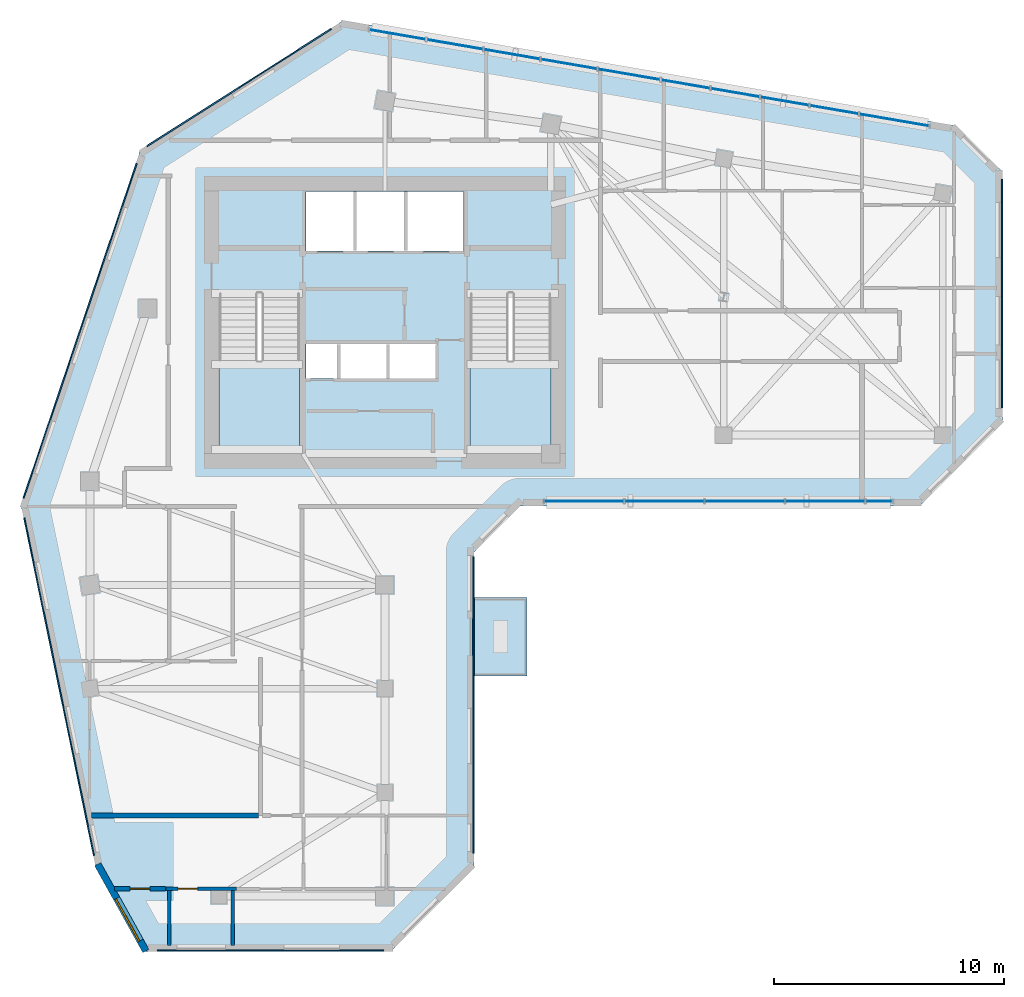
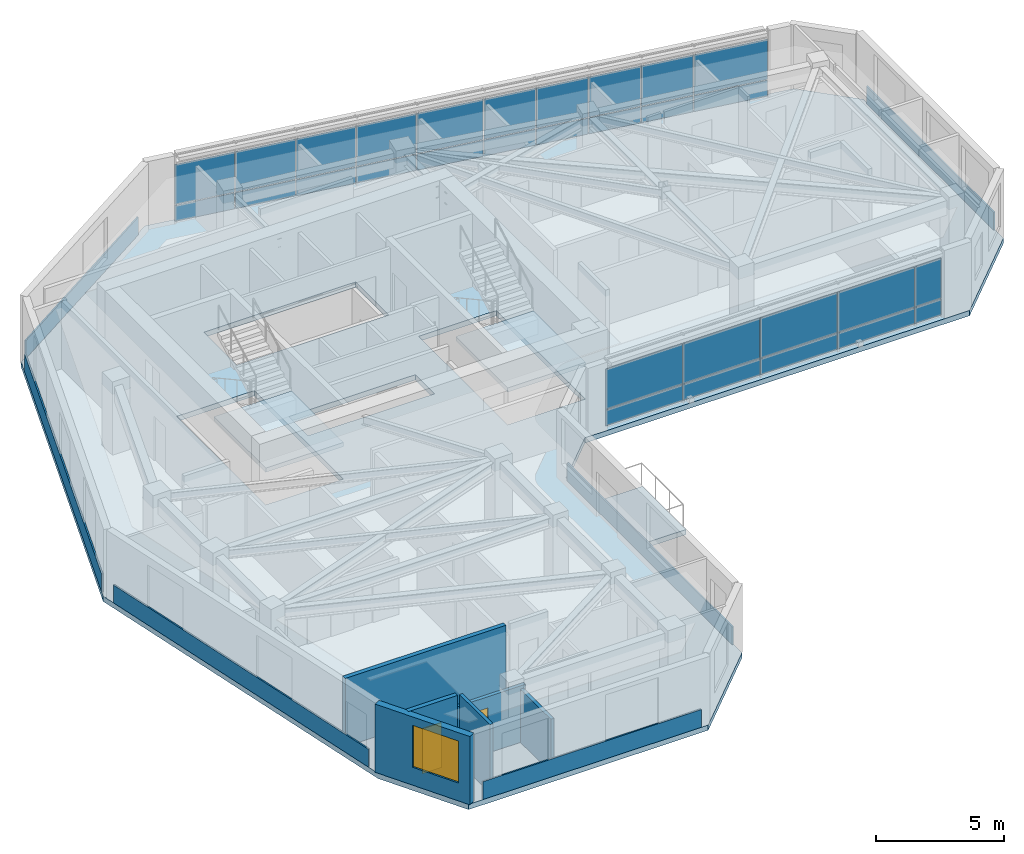
# One storey, part 3 of 10: 36 plates, 6 walls, 4 slabs, 2 doors, 1 window, 3 openings, 4 elements without a shape of their own.
"""IFC4 building model written with IfcOpenShell, lengths in metres."""

import ifcopenshell
import ifcopenshell.guid

model = None  # the IFC model being written
_history = None  # IfcOwnerHistory: only IFC2X3 demands one
_inside = {}  # id of a spatial element -> (the spatial element, [elements in it])
_under = {}  # id of a project, library or spatial element -> (it, [spatial elements below it])
_declared = {}  # id of a project -> (the project, [libraries it declares])
_typed = {}  # id of a type object -> (the type object, [elements of that type])
_made_of = {}  # id of a material, layer set ... -> (it, [elements and type objects made of it])


def new_model(schema):
    """Start an empty IFC model of exactly this schema.

    Asked for "IFC4X3", IfcOpenShell would pick the latest addendum, in which some entities
    have other attributes; the version numbers below select the first issue.
    IFC2X3 requires an IfcOwnerHistory on every rooted entity: one is made here for all.
    """
    global model, _history
    if schema == "IFC4X3":
        model = ifcopenshell.file(schema_version=(4, 3, 0, 0))
    else:
        model = ifcopenshell.file(schema=schema)
    _inside.clear()
    _under.clear()
    _declared.clear()
    _typed.clear()
    _made_of.clear()
    _history = None
    if model.schema == "IFC2X3":
        org = make("IfcOrganization", Name="unknown")
        user = make(
            "IfcPersonAndOrganization",
            ThePerson=make("IfcPerson", FamilyName="unknown"),
            TheOrganization=org,
        )
        app = make(
            "IfcApplication",
            ApplicationDeveloper=org,
            Version="unknown",
            ApplicationFullName="unknown",
            ApplicationIdentifier="unknown",
        )
        _history = make(
            "IfcOwnerHistory",
            OwningUser=user,
            OwningApplication=app,
            ChangeAction="ADDED",
            CreationDate=0,
        )
    return model


def make(cls, **values):
    """One entity of the class cls with the attributes given. An attribute that is None is left unset."""
    return model.create_entity(
        cls, **{name: value for name, value in values.items() if value is not None}
    )


def rooted(cls, **values):
    """An entity with a GlobalId (a new one), such as an element, a storey or a relation."""
    return make(cls, GlobalId=ifcopenshell.guid.new(), OwnerHistory=_history, **values)


def si_unit(unit_type, name, prefix=None):
    """IfcSIUnit, for example si_unit("LENGTHUNIT", "METRE", prefix="MILLI")."""
    return make("IfcSIUnit", UnitType=unit_type, Prefix=prefix, Name=name)


def assignment(units):
    """IfcUnitAssignment: the units of a project."""
    return None if units is None else make("IfcUnitAssignment", Units=units)


def point(xyz):
    """IfcCartesianPoint."""
    return None if xyz is None else make("IfcCartesianPoint", Coordinates=xyz)


def direction(xyz):
    """IfcDirection."""
    return None if xyz is None else make("IfcDirection", DirectionRatios=xyz)


def frame(location, z_axis=None, x_axis=None):
    """IfcAxis2Placement3D, a coordinate frame: its origin and axes. An axis left out is left unset."""
    return make(
        "IfcAxis2Placement3D",
        Location=point(location),
        Axis=direction(z_axis),
        RefDirection=direction(x_axis),
    )


def frame_2d(location, x_axis=None):
    """IfcAxis2Placement2D, a coordinate frame in the plane: its origin and x axis."""
    return make(
        "IfcAxis2Placement2D", Location=point(location), RefDirection=direction(x_axis)
    )


def origin():
    """The frame at (0, 0, 0) with its axes left unset."""
    return frame((0.0, 0.0, 0.0))


def place(relative_to, where):
    """IfcLocalPlacement: puts the frame where relative to a parent placement (None: the world)."""
    return make(
        "IfcLocalPlacement", PlacementRelTo=relative_to, RelativePlacement=where
    )


def context(
    kind, dimensions, precision=None, world=None, true_north=None, identifier=None
):
    """IfcGeometricRepresentationContext, for example the 3D "Model" context."""
    return make(
        "IfcGeometricRepresentationContext",
        ContextIdentifier=identifier,
        ContextType=kind,
        CoordinateSpaceDimension=dimensions,
        Precision=precision,
        WorldCoordinateSystem=world,
        TrueNorth=true_north,
    )


def subcontext(parent, identifier, kind, view, scale=None):
    """IfcGeometricRepresentationSubContext, for example "Body" below "Model"."""
    return make(
        "IfcGeometricRepresentationSubContext",
        ContextIdentifier=identifier,
        ContextType=kind,
        ParentContext=parent,
        TargetScale=scale,
        TargetView=view,
    )


def project(units=None, contexts=None):
    """IfcProject with its units and contexts."""
    return rooted(
        "IfcProject",
        Name="project",
        RepresentationContexts=contexts,
        UnitsInContext=assignment(units),
    )


def spatial(cls, under=None, at=None, **own):
    """A site, building, storey or space (cls), placed at a placement, below another one or the project."""
    s = rooted(cls, ObjectPlacement=at, **own)
    if under is not None:
        _under.setdefault(under.id(), (under, []))[1].append(s)
    return s


def polyline(points):
    """IfcPolyline through the points."""
    return make("IfcPolyline", Points=[point(p) for p in points])


def profile(cls, at=None, kind="AREA", **sizes):
    """A parametric profile (cls). Its sizes go by their IFC names, for example OverallWidth=200.0."""
    return make(cls, ProfileType=kind, Position=at, **sizes)


def rectangle(**sizes):
    """IfcRectangleProfileDef."""
    return profile("IfcRectangleProfileDef", **sizes)


def outline(outer, holes=None, kind="AREA"):
    """IfcArbitraryClosedProfileDef: a profile drawn as a closed curve; with holes, ...WithVoids."""
    if holes is None:
        return make("IfcArbitraryClosedProfileDef", ProfileType=kind, OuterCurve=outer)
    return make(
        "IfcArbitraryProfileDefWithVoids",
        ProfileType=kind,
        OuterCurve=outer,
        InnerCurves=holes,
    )


def extrude(swept, where, along, depth):
    """IfcExtrudedAreaSolid: the profile swept, set in the frame where, extruded along a direction by depth."""
    return make(
        "IfcExtrudedAreaSolid",
        SweptArea=swept,
        Position=where,
        ExtrudedDirection=direction(along),
        Depth=depth,
    )


def shape(context_of_items, identifier, shape_type, items):
    """IfcShapeRepresentation: the items that make up one representation, for example the "Body"."""
    return make(
        "IfcShapeRepresentation",
        ContextOfItems=context_of_items,
        RepresentationIdentifier=identifier,
        RepresentationType=shape_type,
        Items=items,
    )


def source(mapping_origin, context_of_items, identifier, shape_type, items):
    """IfcRepresentationMap: a shape defined once, which mapped items show again and again."""
    return make(
        "IfcRepresentationMap",
        MappingOrigin=mapping_origin,
        MappedRepresentation=shape(context_of_items, identifier, shape_type, items),
    )


def transform(
    local_origin,
    x_axis=None,
    y_axis=None,
    z_axis=None,
    scale=None,
    scale2=None,
    scale3=None,
    uniform=True,
):
    """IfcCartesianTransformationOperator3D, or its non-uniform kind. x_axis, y_axis, z_axis: its Axis1, 2, 3."""
    if uniform:
        return make(
            "IfcCartesianTransformationOperator3D",
            Axis1=direction(x_axis),
            Axis2=direction(y_axis),
            LocalOrigin=point(local_origin),
            Scale=scale,
            Axis3=direction(z_axis),
        )
    return make(
        "IfcCartesianTransformationOperator3DnonUniform",
        Axis1=direction(x_axis),
        Axis2=direction(y_axis),
        LocalOrigin=point(local_origin),
        Scale=scale,
        Axis3=direction(z_axis),
        Scale2=scale2,
        Scale3=scale3,
    )


def mapped(mapping_source, mapping_target):
    """IfcMappedItem: shows the shape of a source again, moved by a transform."""
    return make(
        "IfcMappedItem", MappingSource=mapping_source, MappingTarget=mapping_target
    )


def material(Name=None, Category=None):
    """IfcMaterial."""
    return make("IfcMaterial", Name=Name, Category=Category)


def layer(
    of_material, thickness, ventilated=None, Name=None, Category=None, Priority=None
):
    """IfcMaterialLayer: one layer of a wall or slab, of a material (None: an air gap)."""
    return make(
        "IfcMaterialLayer",
        Material=of_material,
        LayerThickness=thickness,
        IsVentilated=ventilated,
        Name=Name,
        Category=Category,
        Priority=Priority,
    )


def layer_set(layers, Name=None):
    """IfcMaterialLayerSet."""
    return make("IfcMaterialLayerSet", MaterialLayers=layers, LayerSetName=Name)


def made_of(thing, what):
    """Note that an element or type object is made of a material, layer set ...; save() writes the relation."""
    if what is not None:
        _made_of.setdefault(what.id(), (what, []))[1].append(thing)
    return thing


def type_object(cls, material=None, **own):
    """A type object (cls), such as IfcWallType, which elements share."""
    return made_of(rooted(cls, **own), material)


def element(
    cls,
    number,
    at=None,
    inside=None,
    cuts=None,
    type_object=None,
    material=None,
    context=None,
    identifier="Body",
    shape_type=None,
    held_by="IfcProductDefinitionShape",
    body=None,
    shapes=None,
    **own,
):
    """One element of the class cls, such as IfcWall. Its Tag is "e" and its number.

    at: its placement. inside: the storey or other place that contains it. cuts: it is an
    opening in that element (IfcRelVoidsElement). A single representation is given by context,
    identifier, shape_type and body (its items); several are given by shapes. held_by: the class
    of the entity that holds the representations. save() writes the other relations.
    """
    e = rooted(cls, Tag="e%d" % number, ObjectPlacement=at, **own)
    if body is not None:
        shapes = [shape(context, identifier, shape_type, body)]
    if shapes is not None:
        e.Representation = make(held_by, Representations=shapes)
    if inside is not None:
        _inside.setdefault(inside.id(), (inside, []))[1].append(e)
    if cuts is not None:
        rooted(
            "IfcRelVoidsElement", RelatingBuildingElement=cuts, RelatedOpeningElement=e
        )
    if type_object is not None:
        _typed.setdefault(type_object.id(), (type_object, []))[1].append(e)
    return made_of(e, material)


def fill(opening, filler):
    """IfcRelFillsElement: the door or window that sits in an opening."""
    return rooted(
        "IfcRelFillsElement",
        RelatingOpeningElement=opening,
        RelatedBuildingElement=filler,
    )


def aggregate(whole, parts):
    """IfcRelAggregates: a whole, such as a stair, and the parts it consists of."""
    return rooted("IfcRelAggregates", RelatingObject=whole, RelatedObjects=parts)


def save(model, path):
    """Write the relations noted so far, then the file.

    IfcRelAggregates (storeys below a building ...), IfcRelContainedInSpatialStructure (elements
    in a storey), IfcRelDefinesByType, IfcRelAssociatesMaterial and IfcRelDeclares: one each for
    every whole, place, type object, material and project.
    """
    for whole, parts in _under.values():
        aggregate(whole, parts)
    for where, things in _inside.values():
        rooted(
            "IfcRelContainedInSpatialStructure",
            RelatedElements=things,
            RelatingStructure=where,
        )
    for kind, things in _typed.values():
        rooted("IfcRelDefinesByType", RelatedObjects=things, RelatingType=kind)
    for what, things in _made_of.values():
        rooted("IfcRelAssociatesMaterial", RelatedObjects=things, RelatingMaterial=what)
    for by, libraries in _declared.values():
        rooted("IfcRelDeclares", RelatingContext=by, RelatedDefinitions=libraries)
    model.write(path)


model = new_model("IFC4")

# Units and contexts
model_context = context("Model", 3, precision=1e-05, world=origin(), true_north=direction((0.0, 1.0)))
body_context = subcontext(model_context, "Body", "Model", "MODEL_VIEW")
ifc_project = project(units=[si_unit("LENGTHUNIT", "METRE"), si_unit("AREAUNIT", "SQUARE_METRE"), si_unit("VOLUMEUNIT", "CUBIC_METRE"), si_unit("PLANEANGLEUNIT", "RADIAN"), si_unit("MASSUNIT", "GRAM", prefix="KILO")], contexts=[model_context])

# Site, building, storey
site_placement = place(None, origin())
site = spatial("IfcSite", under=ifc_project, at=site_placement, CompositionType="ELEMENT")
building_placement = place(site_placement, origin())
building = spatial("IfcBuilding", under=site, at=building_placement, Name="Calvemar Wedge Station Tower", CompositionType="ELEMENT")
storey_placement = place(building_placement, frame((0.0, 0.0, 193.89990234375)))
storey = spatial("IfcBuildingStorey", under=building, at=storey_placement, Name="L48", CompositionType="ELEMENT", Elevation=193.89990234375)

# Curtain wall, plates
ifc_material_1 = material(Name="Anodised aluminium 6063-T6", Category="aluminium")
curtain_wall_type = type_object("IfcCurtainWallType", Name="CW3", PredefinedType="NOTDEFINED", material=ifc_material_1)
curtain_wall_1_placement = place(storey_placement, origin())
curtain_wall_1 = element("IfcCurtainWall", 1, at=curtain_wall_1_placement, inside=storey, type_object=curtain_wall_type, Name="Storey L48 CW3 Recessed Unitised Curtain Wall 6", PredefinedType="NOTDEFINED")
ifc_material_2 = material(Name="Low-E laminated insulated glass", Category="glass")
ifc_layer_1 = layer(ifc_material_2, 0.028076171875)
ifc_layer_set_1 = layer_set([ifc_layer_1], Name="Low-E laminated insulated glass")
plate_type_1 = type_object("IfcPlateType", Name="CW3-GLZ", PredefinedType="CURTAIN_PANEL", material=ifc_layer_set_1)
plate_1_placement = place(storey_placement, frame((30.719970703125, 32.134033203125, 0.8701171875), z_axis=(0.0, 0.0, 1.0), x_axis=(1.0, 0.0, 0.0)))
plate_1 = element("IfcPlate", 2, at=plate_1_placement, type_object=plate_type_1, Name="CW3 vision glass panel 1", PredefinedType="CURTAIN_PANEL", context=body_context, shape_type="SweptSolid", body=[
    extrude(rectangle(XDim=3.448486328125, YDim=0.028076171875, at=frame_2d((1.72412109375, 0.0))), origin(), (0.0, 0.0, 1.0), 1.909912109375),
])
plate_2_placement = place(storey_placement, frame((34.204345703125, 32.134033203125, 0.8701171875), z_axis=(0.0, 0.0, 1.0), x_axis=(1.0, 0.0, 0.0)))
plate_2 = element("IfcPlate", 3, at=plate_2_placement, type_object=plate_type_1, Name="CW3 vision glass panel 2", PredefinedType="CURTAIN_PANEL", context=body_context, shape_type="SweptSolid", body=[
    extrude(rectangle(XDim=3.44873046875, YDim=0.028076171875, at=frame_2d((1.724365234375, 0.0))), origin(), (0.0, 0.0, 1.0), 1.909912109375),
])
plate_3_placement = place(storey_placement, frame((37.68896484375, 32.134033203125, 0.8701171875), z_axis=(0.0, 0.0, 1.0), x_axis=(1.0, 0.0, 0.0)))
plate_3 = element("IfcPlate", 4, at=plate_3_placement, type_object=plate_type_1, Name="CW3 vision glass panel 3", PredefinedType="CURTAIN_PANEL", context=body_context, shape_type="SweptSolid", body=[
    extrude(rectangle(XDim=3.448486328125, YDim=0.028076171875, at=frame_2d((1.72412109375, 0.0))), origin(), (0.0, 0.0, 1.0), 1.909912109375),
])
plate_4_placement = place(storey_placement, frame((41.173583984375, 32.134033203125, 0.8701171875), z_axis=(0.0, 0.0, 1.0), x_axis=(1.0, 0.0, 0.0)))
plate_4 = element("IfcPlate", 5, at=plate_4_placement, type_object=plate_type_1, Name="CW3 vision glass panel 4", PredefinedType="CURTAIN_PANEL", context=body_context, shape_type="SweptSolid", body=[
    extrude(rectangle(XDim=3.448486328125, YDim=0.028076171875, at=frame_2d((1.72412109375, 0.0))), origin(), (0.0, 0.0, 1.0), 1.909912109375),
])
plate_5_placement = place(storey_placement, frame((44.657958984375, 32.134033203125, 0.8701171875), z_axis=(0.0, 0.0, 1.0), x_axis=(1.0, 0.0, 0.0)))
plate_5 = element("IfcPlate", 6, at=plate_5_placement, type_object=plate_type_1, Name="CW3 vision glass panel 5", PredefinedType="CURTAIN_PANEL", context=body_context, shape_type="SweptSolid", body=[
    extrude(rectangle(XDim=1.161865234375, YDim=0.028076171875, at=frame_2d((0.5810546875, 0.0))), origin(), (0.0, 0.0, 1.0), 1.909912109375),
])

curtain_wall_2_placement = place(storey_placement, origin())
curtain_wall_2 = element("IfcCurtainWall", 7, at=curtain_wall_2_placement, inside=storey, type_object=curtain_wall_type, Name="Storey L48 CW3 Recessed Unitised Curtain Wall 10", PredefinedType="NOTDEFINED")
plate_6_placement = place(storey_placement, frame((47.415771484375, 48.414794921875, 0.8701171875), z_axis=(0.0, 0.0, 1.0), x_axis=(-0.985532089048, 0.16948894199, 0.0)))
plate_6 = element("IfcPlate", 8, at=plate_6_placement, type_object=plate_type_1, Name="CW3 vision glass panel 1", PredefinedType="CURTAIN_PANEL", context=body_context, shape_type="SweptSolid", body=[
    extrude(rectangle(XDim=3.071044921875, YDim=0.028076171875, at=frame_2d((1.53564453125, 0.0))), origin(), (0.0, 0.0, 1.0), 1.909912109375),
])
plate_7_placement = place(storey_placement, frame((44.353515625, 48.94140625, 0.8701171875), z_axis=(0.0, 0.0, 1.0), x_axis=(-0.985522462135, 0.169544910355, 0.0)))
plate_7 = element("IfcPlate", 9, at=plate_7_placement, type_object=plate_type_1, Name="CW3 vision glass panel 2", PredefinedType="CURTAIN_PANEL", context=body_context, shape_type="SweptSolid", body=[
    extrude(rectangle(XDim=2.1455078125, YDim=0.028076171875, at=frame_2d((1.07275390625, 0.0))), origin(), (0.0, 0.0, 1.0), 1.909912109375),
])
plate_8_placement = place(storey_placement, frame((42.20361328125, 49.311279296875, 0.8701171875), z_axis=(0.0, 0.0, 1.0), x_axis=(-0.985522462135, 0.169544910355, 0.0)))
plate_8 = element("IfcPlate", 10, at=plate_8_placement, type_object=plate_type_1, Name="CW3 vision glass panel 3", PredefinedType="CURTAIN_PANEL", context=body_context, shape_type="SweptSolid", body=[
    extrude(rectangle(XDim=2.1455078125, YDim=0.028076171875, at=frame_2d((1.07275390625, 0.0))), origin(), (0.0, 0.0, 1.0), 1.909912109375),
])
plate_9_placement = place(storey_placement, frame((40.0537109375, 49.68115234375, 0.8701171875), z_axis=(0.0, 0.0, 1.0), x_axis=(-0.985522462135, 0.169544910355, 0.0)))
plate_9 = element("IfcPlate", 11, at=plate_9_placement, type_object=plate_type_1, Name="CW3 vision glass panel 4", PredefinedType="CURTAIN_PANEL", context=body_context, shape_type="SweptSolid", body=[
    extrude(rectangle(XDim=2.1455078125, YDim=0.028076171875, at=frame_2d((1.07275390625, 0.0))), origin(), (0.0, 0.0, 1.0), 1.909912109375),
])
plate_10_placement = place(storey_placement, frame((37.903564453125, 50.051025390625, 0.8701171875), z_axis=(0.0, 0.0, 1.0), x_axis=(-0.985522462135, 0.169544910355, 0.0)))
plate_10 = element("IfcPlate", 12, at=plate_10_placement, type_object=plate_type_1, Name="CW3 vision glass panel 5", PredefinedType="CURTAIN_PANEL", context=body_context, shape_type="SweptSolid", body=[
    extrude(rectangle(XDim=2.1455078125, YDim=0.028076171875, at=frame_2d((1.07275390625, 0.0))), origin(), (0.0, 0.0, 1.0), 1.909912109375),
])
plate_11_placement = place(storey_placement, frame((35.753662109375, 50.4208984375, 0.8701171875), z_axis=(0.0, 0.0, 1.0), x_axis=(-0.985520439195, 0.169556668781, 0.0)))
plate_11 = element("IfcPlate", 13, at=plate_11_placement, type_object=plate_type_1, Name="CW3 vision glass panel 6", PredefinedType="CURTAIN_PANEL", context=body_context, shape_type="SweptSolid", body=[
    extrude(rectangle(XDim=2.75439453125, YDim=0.028076171875, at=frame_2d((1.377197265625, 0.0))), origin(), (0.0, 0.0, 1.0), 1.909912109375),
])
plate_12_placement = place(storey_placement, frame((33.003662109375, 50.89404296875, 0.8701171875), z_axis=(0.0, 0.0, 1.0), x_axis=(-0.985522121529, 0.169546890203, 0.0)))
plate_12 = element("IfcPlate", 14, at=plate_12_placement, type_object=plate_type_1, Name="CW3 vision glass panel 7", PredefinedType="CURTAIN_PANEL", context=body_context, shape_type="SweptSolid", body=[
    extrude(rectangle(XDim=2.475341796875, YDim=0.028076171875, at=frame_2d((1.23779296875, 0.0))), origin(), (0.0, 0.0, 1.0), 1.909912109375),
])
plate_13_placement = place(storey_placement, frame((30.528564453125, 51.319580078125, 0.8701171875), z_axis=(0.0, 0.0, 1.0), x_axis=(-0.985505636657, 0.169642683652, 0.0)))
plate_13 = element("IfcPlate", 15, at=plate_13_placement, type_object=plate_type_1, Name="CW3 vision glass panel 8", PredefinedType="CURTAIN_PANEL", context=body_context, shape_type="SweptSolid", body=[
    extrude(rectangle(XDim=2.475341796875, YDim=0.028076171875, at=frame_2d((1.23779296875, 0.0))), origin(), (0.0, 0.0, 1.0), 1.909912109375),
])
plate_14_placement = place(storey_placement, frame((28.0537109375, 51.74560546875, 0.8701171875), z_axis=(0.0, 0.0, 1.0), x_axis=(-0.98553324407, 0.169482225713, 0.0)))
plate_14 = element("IfcPlate", 16, at=plate_14_placement, type_object=plate_type_1, Name="CW3 vision glass panel 9", PredefinedType="CURTAIN_PANEL", context=body_context, shape_type="SweptSolid", body=[
    extrude(rectangle(XDim=2.4833984375, YDim=0.028076171875, at=frame_2d((1.24169921875, 0.0))), origin(), (0.0, 0.0, 1.0), 1.909912109375),
])
plate_15_placement = place(storey_placement, frame((25.57080078125, 52.172607421875, 0.8701171875), z_axis=(0.0, 0.0, 1.0), x_axis=(-0.985516819371, 0.169577707074, 0.0)))
plate_15 = element("IfcPlate", 17, at=plate_15_placement, type_object=plate_type_1, Name="CW3 vision glass panel 10", PredefinedType="CURTAIN_PANEL", context=body_context, shape_type="SweptSolid", body=[
    extrude(rectangle(XDim=2.4833984375, YDim=0.028076171875, at=frame_2d((1.24169921875, 0.0))), origin(), (0.0, 0.0, 1.0), 1.909912109375),
])

# Plate
ifc_material_3 = material(Name="Oxidized bronze aluminium spandrel panel 5005-H24", Category="aluminium")
ifc_layer_2 = layer(ifc_material_3, 0.0400390625)
ifc_layer_set_2 = layer_set([ifc_layer_2], Name="Oxidized bronze aluminium spandrel panel 5005-H24")
plate_type_2 = type_object("IfcPlateType", Name="CW3-SPD", PredefinedType="SHEET", material=ifc_layer_set_2)
plate_16_placement = place(storey_placement, frame((30.719970703125, 32.134033203125, 0.080078125), z_axis=(0.0, 0.0, 1.0), x_axis=(1.0, 0.0, 0.0)))
plate_16 = element("IfcPlate", 18, at=plate_16_placement, type_object=plate_type_2, Name="CW3 bronze spandrel panel 1", PredefinedType="SHEET", context=body_context, shape_type="SweptSolid", body=[
    extrude(rectangle(XDim=3.448486328125, YDim=0.0400390625, at=frame_2d((1.72412109375, 0.0))), origin(), (0.0, 0.0, 1.0), 0.75),
])

plate_17_placement = place(storey_placement, frame((34.204345703125, 32.134033203125, 0.080078125), z_axis=(0.0, 0.0, 1.0), x_axis=(1.0, 0.0, 0.0)))
plate_17 = element("IfcPlate", 19, at=plate_17_placement, type_object=plate_type_2, Name="CW3 bronze spandrel panel 2", PredefinedType="SHEET", context=body_context, shape_type="SweptSolid", body=[
    extrude(rectangle(XDim=3.44873046875, YDim=0.0400390625, at=frame_2d((1.724365234375, 0.0))), origin(), (0.0, 0.0, 1.0), 0.75),
])

plate_18_placement = place(storey_placement, frame((37.68896484375, 32.134033203125, 0.080078125), z_axis=(0.0, 0.0, 1.0), x_axis=(1.0, 0.0, 0.0)))
plate_18 = element("IfcPlate", 20, at=plate_18_placement, type_object=plate_type_2, Name="CW3 bronze spandrel panel 3", PredefinedType="SHEET", context=body_context, shape_type="SweptSolid", body=[
    extrude(rectangle(XDim=3.448486328125, YDim=0.0400390625, at=frame_2d((1.72412109375, 0.0))), origin(), (0.0, 0.0, 1.0), 0.75),
])

plate_19_placement = place(storey_placement, frame((41.173583984375, 32.134033203125, 0.080078125), z_axis=(0.0, 0.0, 1.0), x_axis=(1.0, 0.0, 0.0)))
plate_19 = element("IfcPlate", 21, at=plate_19_placement, type_object=plate_type_2, Name="CW3 bronze spandrel panel 4", PredefinedType="SHEET", context=body_context, shape_type="SweptSolid", body=[
    extrude(rectangle(XDim=3.448486328125, YDim=0.0400390625, at=frame_2d((1.72412109375, 0.0))), origin(), (0.0, 0.0, 1.0), 0.75),
])

plate_20_placement = place(storey_placement, frame((44.657958984375, 32.134033203125, 0.080078125), z_axis=(0.0, 0.0, 1.0), x_axis=(1.0, 0.0, 0.0)))
plate_20 = element("IfcPlate", 22, at=plate_20_placement, type_object=plate_type_2, Name="CW3 bronze spandrel panel 5", PredefinedType="SHEET", context=body_context, shape_type="SweptSolid", body=[
    extrude(rectangle(XDim=1.161865234375, YDim=0.0400390625, at=frame_2d((0.5810546875, 0.0))), origin(), (0.0, 0.0, 1.0), 0.75),
])

aggregate(curtain_wall_1, [plate_16, plate_1, plate_17, plate_2, plate_18, plate_3, plate_19, plate_4, plate_20, plate_5])

plate_21_placement = place(storey_placement, frame((47.415771484375, 48.414794921875, 0.080078125), z_axis=(0.0, 0.0, 1.0), x_axis=(-0.985532089048, 0.16948894199, 0.0)))
plate_21 = element("IfcPlate", 23, at=plate_21_placement, type_object=plate_type_2, Name="CW3 bronze spandrel panel 1", PredefinedType="SHEET", context=body_context, shape_type="SweptSolid", body=[
    extrude(rectangle(XDim=3.071044921875, YDim=0.0400390625, at=frame_2d((1.53564453125, 0.0))), origin(), (0.0, 0.0, 1.0), 0.75),
])

plate_22_placement = place(storey_placement, frame((44.353515625, 48.94140625, 0.080078125), z_axis=(0.0, 0.0, 1.0), x_axis=(-0.985522462135, 0.169544910355, 0.0)))
plate_22 = element("IfcPlate", 24, at=plate_22_placement, type_object=plate_type_2, Name="CW3 bronze spandrel panel 2", PredefinedType="SHEET", context=body_context, shape_type="SweptSolid", body=[
    extrude(rectangle(XDim=2.1455078125, YDim=0.0400390625, at=frame_2d((1.07275390625, 0.0))), origin(), (0.0, 0.0, 1.0), 0.75),
])

plate_23_placement = place(storey_placement, frame((42.20361328125, 49.311279296875, 0.080078125), z_axis=(0.0, 0.0, 1.0), x_axis=(-0.985522462135, 0.169544910355, 0.0)))
plate_23 = element("IfcPlate", 25, at=plate_23_placement, type_object=plate_type_2, Name="CW3 bronze spandrel panel 3", PredefinedType="SHEET", context=body_context, shape_type="SweptSolid", body=[
    extrude(rectangle(XDim=2.1455078125, YDim=0.0400390625, at=frame_2d((1.07275390625, 0.0))), origin(), (0.0, 0.0, 1.0), 0.75),
])

plate_24_placement = place(storey_placement, frame((40.0537109375, 49.68115234375, 0.080078125), z_axis=(0.0, 0.0, 1.0), x_axis=(-0.985522462135, 0.169544910355, 0.0)))
plate_24 = element("IfcPlate", 26, at=plate_24_placement, type_object=plate_type_2, Name="CW3 bronze spandrel panel 4", PredefinedType="SHEET", context=body_context, shape_type="SweptSolid", body=[
    extrude(rectangle(XDim=2.1455078125, YDim=0.0400390625, at=frame_2d((1.07275390625, 0.0))), origin(), (0.0, 0.0, 1.0), 0.75),
])

plate_25_placement = place(storey_placement, frame((37.903564453125, 50.051025390625, 0.080078125), z_axis=(0.0, 0.0, 1.0), x_axis=(-0.985522462135, 0.169544910355, 0.0)))
plate_25 = element("IfcPlate", 27, at=plate_25_placement, type_object=plate_type_2, Name="CW3 bronze spandrel panel 5", PredefinedType="SHEET", context=body_context, shape_type="SweptSolid", body=[
    extrude(rectangle(XDim=2.1455078125, YDim=0.0400390625, at=frame_2d((1.07275390625, 0.0))), origin(), (0.0, 0.0, 1.0), 0.75),
])

plate_26_placement = place(storey_placement, frame((35.753662109375, 50.4208984375, 0.080078125), z_axis=(0.0, 0.0, 1.0), x_axis=(-0.985520439195, 0.169556668781, 0.0)))
plate_26 = element("IfcPlate", 28, at=plate_26_placement, type_object=plate_type_2, Name="CW3 bronze spandrel panel 6", PredefinedType="SHEET", context=body_context, shape_type="SweptSolid", body=[
    extrude(rectangle(XDim=2.75439453125, YDim=0.0400390625, at=frame_2d((1.377197265625, 0.0))), origin(), (0.0, 0.0, 1.0), 0.75),
])

plate_27_placement = place(storey_placement, frame((33.003662109375, 50.89404296875, 0.080078125), z_axis=(0.0, 0.0, 1.0), x_axis=(-0.985522121529, 0.169546890203, 0.0)))
plate_27 = element("IfcPlate", 29, at=plate_27_placement, type_object=plate_type_2, Name="CW3 bronze spandrel panel 7", PredefinedType="SHEET", context=body_context, shape_type="SweptSolid", body=[
    extrude(rectangle(XDim=2.475341796875, YDim=0.0400390625, at=frame_2d((1.23779296875, 0.0))), origin(), (0.0, 0.0, 1.0), 0.75),
])

plate_28_placement = place(storey_placement, frame((30.528564453125, 51.319580078125, 0.080078125), z_axis=(0.0, 0.0, 1.0), x_axis=(-0.985505636657, 0.169642683652, 0.0)))
plate_28 = element("IfcPlate", 30, at=plate_28_placement, type_object=plate_type_2, Name="CW3 bronze spandrel panel 8", PredefinedType="SHEET", context=body_context, shape_type="SweptSolid", body=[
    extrude(rectangle(XDim=2.475341796875, YDim=0.0400390625, at=frame_2d((1.23779296875, 0.0))), origin(), (0.0, 0.0, 1.0), 0.75),
])

plate_29_placement = place(storey_placement, frame((28.0537109375, 51.74560546875, 0.080078125), z_axis=(0.0, 0.0, 1.0), x_axis=(-0.98553324407, 0.169482225713, 0.0)))
plate_29 = element("IfcPlate", 31, at=plate_29_placement, type_object=plate_type_2, Name="CW3 bronze spandrel panel 9", PredefinedType="SHEET", context=body_context, shape_type="SweptSolid", body=[
    extrude(rectangle(XDim=2.4833984375, YDim=0.0400390625, at=frame_2d((1.24169921875, 0.0))), origin(), (0.0, 0.0, 1.0), 0.75),
])

plate_30_placement = place(storey_placement, frame((25.57080078125, 52.172607421875, 0.080078125), z_axis=(0.0, 0.0, 1.0), x_axis=(-0.985516819371, 0.169577707074, 0.0)))
plate_30 = element("IfcPlate", 32, at=plate_30_placement, type_object=plate_type_2, Name="CW3 bronze spandrel panel 10", PredefinedType="SHEET", context=body_context, shape_type="SweptSolid", body=[
    extrude(rectangle(XDim=2.4833984375, YDim=0.0400390625, at=frame_2d((1.24169921875, 0.0))), origin(), (0.0, 0.0, 1.0), 0.75),
])

aggregate(curtain_wall_2, [plate_21, plate_6, plate_22, plate_7, plate_23, plate_8, plate_24, plate_9, plate_25, plate_10, plate_26, plate_11, plate_27, plate_12, plate_28, plate_13, plate_29, plate_14, plate_30, plate_15])

# Plates
ifc_material_4 = material(Name="Precast concrete C45", Category="concrete")
ifc_layer_3 = layer(ifc_material_4, 0.06494140625)
ifc_layer_set_3 = layer_set([ifc_layer_3], Name="Precast concrete C45")
plate_type_3 = type_object("IfcPlateType", Name="PL-GFRC-FIN", PredefinedType="USERDEFINED", material=ifc_layer_set_3)
plate_31_placement = place(storey_placement, frame((13.91015625, 12.6298828125, 0.0), z_axis=(0.0, 0.0, 1.0), x_axis=(1.0, 0.0, 0.0)))
element("IfcPlate", 33, at=plate_31_placement, inside=storey, type_object=plate_type_3, Name="Storey L48 Oxidized-Bronze GFRC Spandrel Cladding 2", ObjectType="CLADDING PANEL", PredefinedType="USERDEFINED", context=body_context, shape_type="SweptSolid", body=[
    extrude(rectangle(XDim=9.841796875, YDim=0.06494140625, at=frame_2d((4.9208984375, 0.0))), origin(), (0.0, 0.0, 1.0), 0.85009765625),
])
plate_32_placement = place(storey_placement, frame((27.634033203125, 16.857421875, 0.0), z_axis=(0.0, 0.0, 1.0), x_axis=(0.0, 1.0, 0.0)))
element("IfcPlate", 34, at=plate_32_placement, inside=storey, type_object=plate_type_3, Name="Storey L48 Oxidized-Bronze GFRC Spandrel Cladding 4", ObjectType="CLADDING PANEL", PredefinedType="USERDEFINED", context=body_context, shape_type="SweptSolid", body=[
    extrude(rectangle(XDim=12.878662109375, YDim=0.06494140625, at=frame_2d((6.439453125, 0.0))), origin(), (0.0, 0.0, 1.0), 0.85009765625),
])
plate_33_placement = place(storey_placement, frame((50.570068359375, 36.181396484375, 0.0), z_axis=(0.0, 0.0, 1.0), x_axis=(0.0, 1.0, 0.0)))
element("IfcPlate", 35, at=plate_33_placement, inside=storey, type_object=plate_type_3, Name="Storey L48 Oxidized-Bronze GFRC Spandrel Cladding 8", ObjectType="CLADDING PANEL", PredefinedType="USERDEFINED", context=body_context, shape_type="SweptSolid", body=[
    extrude(rectangle(XDim=9.930419921875, YDim=0.06494140625, at=frame_2d((4.96533203125, 0.0))), origin(), (0.0, 0.0, 1.0), 0.85009765625),
])
plate_34_placement = place(storey_placement, frame((21.472412109375, 52.62890625, 0.0), z_axis=(0.0, 0.0, 1.0), x_axis=(-0.843653007287, -0.536888818375, 0.0)))
element("IfcPlate", 36, at=plate_34_placement, inside=storey, type_object=plate_type_3, Name="Storey L48 Oxidized-Bronze GFRC Spandrel Cladding 11", ObjectType="CLADDING PANEL", PredefinedType="USERDEFINED", context=body_context, shape_type="SweptSolid", body=[
    extrude(rectangle(XDim=9.4833984375, YDim=0.06494140625, at=frame_2d((4.74169921875, 0.0))), origin(), (0.0, 0.0, 1.0), 0.85009765625),
])
plate_35_placement = place(storey_placement, frame((13.02685546875, 46.793212890625, 0.0), z_axis=(0.0, 0.0, 1.0), x_axis=(-0.319927299225, -0.947442094912, 0.0)))
element("IfcPlate", 37, at=plate_35_placement, inside=storey, type_object=plate_type_3, Name="Storey L48 Oxidized-Bronze GFRC Spandrel Cladding 12", ObjectType="CLADDING PANEL", PredefinedType="USERDEFINED", context=body_context, shape_type="SweptSolid", body=[
    extrude(rectangle(XDim=15.333251953125, YDim=0.06494140625, at=frame_2d((7.66650390625, 0.0))), origin(), (0.0, 0.0, 1.0), 0.85009765625),
])
plate_36_placement = place(storey_placement, frame((8.15087890625, 31.41796875, 0.0), z_axis=(0.0, 0.0, 1.0), x_axis=(0.202320768525, -0.979319307797, 0.0)))
element("IfcPlate", 38, at=plate_36_placement, inside=storey, type_object=plate_type_3, Name="Storey L48 Oxidized-Bronze GFRC Spandrel Cladding 13", ObjectType="CLADDING PANEL", PredefinedType="USERDEFINED", context=body_context, shape_type="SweptSolid", body=[
    extrude(rectangle(XDim=14.965576171875, YDim=0.06494140625, at=frame_2d((7.48291015625, 0.0))), origin(), (0.0, 0.0, 1.0), 0.85009765625),
])

# Stair, slab
ifc_material_5 = material(Name="Concrete C45", Category="concrete")
stair_type = type_object("IfcStairType", Name="ST-TYPE-3500", PredefinedType="HALF_TURN_STAIR", material=ifc_material_5)
stair_1_placement = place(storey_placement, origin())
stair_1 = element("IfcStair", 39, at=stair_1_placement, inside=storey, type_object=stair_type, Name="L48 Pressurized Core Exit Stair ST-C1", PredefinedType="HALF_TURN_STAIR")
ifc_layer_4 = layer(ifc_material_5, 0.199951171875)
ifc_layer_set_4 = layer_set([ifc_layer_4], Name="Concrete C45")
slab_type_1 = type_object("IfcSlabType", Name="SL-STAIR-LND-200", PredefinedType="LANDING", material=ifc_layer_set_4)
slab_1_placement = place(storey_placement, frame((0.0, 0.0, 1.550048828125)))
slab_1 = element("IfcSlab", 40, at=slab_1_placement, type_object=slab_type_1, Name="ST-C1 landing 1", PredefinedType="LANDING", context=body_context, shape_type="SweptSolid", body=[
    extrude(outline(polyline([(16.60009765625, 38.25), (16.60009765625, 34.199951171875), (20.10009765625, 34.199951171875), (20.10009765625, 38.25), (16.60009765625, 38.25)])), origin(), (0.0, 0.0, 1.0), 0.199951171875),
])
aggregate(stair_1, [slab_1])

stair_2_placement = place(storey_placement, origin())
stair_2 = element("IfcStair", 41, at=stair_2_placement, inside=storey, type_object=stair_type, Name="L48 Pressurized Core Exit Stair ST-C2", PredefinedType="HALF_TURN_STAIR")
slab_2_placement = place(storey_placement, frame((0.0, 0.0, 1.550048828125)))
slab_2 = element("IfcSlab", 42, at=slab_2_placement, type_object=slab_type_1, Name="ST-C2 landing 1", PredefinedType="LANDING", context=body_context, shape_type="SweptSolid", body=[
    extrude(outline(polyline([(27.5, 38.25), (27.5, 34.199951171875), (31.0, 34.199951171875), (31.0, 38.25), (27.5, 38.25)])), origin(), (0.0, 0.0, 1.0), 0.199951171875),
])
aggregate(stair_2, [slab_2])

# Slabs
ifc_layer_5 = layer(ifc_material_5, 0.239990234375)
ifc_layer_set_5 = layer_set([ifc_layer_5], Name="Concrete C45")
slab_type_2 = type_object("IfcSlabType", Name="SL-TERR-240", PredefinedType="FLOOR", material=ifc_layer_set_5)
slab_3_placement = place(storey_placement, frame((0.0, 0.0, -0.239990234375)))
element("IfcSlab", 43, at=slab_3_placement, inside=storey, type_object=slab_type_2, Name="Storey L48 Planted Spiral Terrace Slab", PredefinedType="FLOOR", context=body_context, shape_type="SweptSolid", body=[
    extrude(outline(polyline([(27.6640625, 24.550048828125), (29.964111328125, 24.550048828125), (29.964111328125, 27.949951171875), (27.6640625, 27.949951171875), (27.6640625, 24.550048828125)])), origin(), (0.0, 0.0, 1.0), 0.239990234375),
])
ifc_material_6 = material(Name="Concrete C50", Category="concrete")
ifc_layer_6 = layer(ifc_material_6, 0.25)
ifc_layer_set_6 = layer_set([ifc_layer_6], Name="Concrete C50")
slab_type_3 = type_object("IfcSlabType", Name="SL-TYP-250", PredefinedType="FLOOR", material=ifc_layer_set_6)
slab_4_placement = place(storey_placement, frame((0.0, 0.0, -0.25)))
element("IfcSlab", 44, at=slab_4_placement, inside=storey, type_object=slab_type_3, Name="Storey L48 Structural Floor Slab", PredefinedType="FLOOR", context=body_context, shape_type="SweptSolid", body=[
    extrude(outline(polyline([(8.0, 32.0), (11.263916015625, 16.199951171875), (13.263916015625, 12.60009765625), (24.06396484375, 12.60009765625), (27.6640625, 16.199951171875), (27.6640625, 29.924072265625), (29.6640625, 31.924072265625), (47.0, 31.924072265625), (50.60009765625, 35.52392578125), (50.60009765625, 46.424072265625), (48.60009765625, 48.424072265625), (22.0, 53.0), (13.199951171875, 47.39990234375), (8.0, 32.0)]), holes=[polyline([(20.10009765625, 34.199951171875), (20.10009765625, 41.14990234375), (16.60009765625, 41.14990234375), (16.60009765625, 34.199951171875), (20.10009765625, 34.199951171875)]), polyline([(27.5, 34.199951171875), (31.0, 34.199951171875), (31.0, 41.14990234375), (27.5, 41.14990234375), (27.5, 34.199951171875)]), polyline([(21.800048828125, 37.449951171875), (23.929931640625, 37.449951171875), (23.93994140625, 37.449951171875), (26.080078125, 37.449951171875), (26.080078125, 38.949951171875), (23.93994140625, 38.949951171875), (23.929931640625, 38.949951171875), (21.800048828125, 38.949951171875), (21.7900390625, 38.949951171875), (20.3798828125, 38.949951171875), (20.3798828125, 37.449951171875), (21.7900390625, 37.449951171875), (21.800048828125, 37.449951171875)]), polyline([(27.219970703125, 43.0), (27.219970703125, 45.580078125), (20.3798828125, 45.580078125), (20.3798828125, 43.0), (27.219970703125, 43.0)])]), origin(), (0.0, 0.0, 1.0), 0.25),
])

# Wall
ifc_material_7 = material(Name="Twin-stud fire-rated inter-tenancy wall")
ifc_layer_7 = layer(ifc_material_7, 0.199951171875)
ifc_layer_set_7 = layer_set([ifc_layer_7], Name="Twin-stud fire-rated inter-tenancy wall")
wall_type_1 = type_object("IfcWallType", Name="W-DEMISE-200", PredefinedType="PARTITIONING", material=ifc_layer_set_7)
wall_1_placement = place(storey_placement, frame((18.305908203125, 18.5, 0.0), z_axis=(0.0, 0.0, 1.0), x_axis=(-1.0, 0.0, 0.0)))
element("IfcWall", 45, at=wall_1_placement, inside=storey, type_object=wall_type_1, Name="Storey L48 Interior Partition WL-L48-056", PredefinedType="PARTITIONING", context=body_context, shape_type="SweptSolid", body=[
    extrude(rectangle(XDim=7.246337890625, YDim=0.199951171875, at=frame_2d((3.623046875, 0.0))), origin(), (0.0, 0.0, 1.0), 3.25),
])

# Wall, opening, door
wall_2_placement = place(storey_placement, frame((14.2880859375, 15.31494140625, 0.0), z_axis=(0.0, 0.0, 1.0), x_axis=(-1.0, 0.0, 0.0)))
wall_2 = element("IfcWall", 46, at=wall_2_placement, inside=storey, type_object=wall_type_1, Name="Storey L48 Interior Partition WL-L48-064", PredefinedType="PARTITIONING", context=body_context, shape_type="SweptSolid", body=[
    extrude(rectangle(XDim=2.229248046875, YDim=0.199951171875, at=frame_2d((1.11474609375, 0.0))), origin(), (0.0, 0.0, 1.0), 3.25),
])
shared_shape_1 = source(origin(), body_context, "Body", "SweptSolid", [
    extrude(rectangle(XDim=0.85009765625, YDim=2.14990234375, at=frame_2d((0.425048828125, 1.074951171875))), frame((0.0, 0.10986328125, 0.0), z_axis=(0.0, -1.0, 0.0), x_axis=(1.0, 0.0, 0.0)), (0.0, 0.0, 1.0), 0.219970703125),
])
opening_1_placement = place(wall_2_placement, frame((0.689697265625, 0.0, 0.0)))
opening_1 = element("IfcOpeningElement", 47, at=opening_1_placement, cuts=wall_2, Name="Opening D-02", PredefinedType="OPENING", context=body_context, shape_type="MappedRepresentation", body=[
    mapped(shared_shape_1, transform((0.0, 0.0, 0.0), scale=1.0)),
])
ifc_material_8 = material(Name="Moisture-sealed bathroom hardwood swing door", Category="wood")
door_type = type_object("IfcDoorType", Name="DR-WET-850", OperationType="NOTDEFINED", PredefinedType="DOOR", material=ifc_material_8)
shared_shape_2 = source(origin(), body_context, "Body", "SweptSolid", [
    extrude(rectangle(XDim=0.85009765625, YDim=2.14990234375, at=frame_2d((0.425048828125, 1.074951171875))), frame((0.0, 0.02490234375, 0.0), z_axis=(0.0, -1.0, 0.0), x_axis=(1.0, 0.0, 0.0)), (0.0, 0.0, 1.0), 0.050048828125),
])
door_1_placement = place(opening_1_placement, origin())
door_1 = element("IfcDoor", 48, at=door_1_placement, inside=storey, type_object=door_type, Name="L48 Walk-In Wardrobe Door", OperationType="SINGLE_SWING_RIGHT", OverallHeight=2.14990234375, OverallWidth=0.85009765625, PredefinedType="DOOR", context=body_context, shape_type="MappedRepresentation", body=[
    mapped(shared_shape_2, transform((0.0, 0.0, 0.0), scale=1.0)),
])
fill(opening_1, door_1)

# Wall, opening, window
ifc_layer_8 = layer(ifc_material_4, 0.300048828125)
ifc_layer_set_8 = layer_set([ifc_layer_8], Name="Precast concrete C45")
wall_type_2 = type_object("IfcWallType", Name="W-EXT-GFRC-300", PredefinedType="SOLIDWALL", material=ifc_layer_set_8)
wall_3_placement = place(storey_placement, frame((11.33349609375, 16.3837890625, 0.0), z_axis=(0.0, 0.0, 1.0), x_axis=(0.485633305139, -0.874162623852, 0.0)))
wall_3 = element("IfcWall", 49, at=wall_3_placement, inside=storey, type_object=wall_type_2, Name="Storey L48 Bronze GFRC Exterior Wall 1", PredefinedType="SOLIDWALL", context=body_context, shape_type="SweptSolid", body=[
    extrude(rectangle(XDim=4.306884765625, YDim=0.300048828125, at=frame_2d((2.1533203125, 0.0))), origin(), (0.0, 0.0, 1.0), 3.25),
])
shared_shape_3 = source(origin(), body_context, "Body", "SweptSolid", [
    extrude(rectangle(XDim=2.10009765625, YDim=2.0, at=frame_2d((1.050048828125, 1.0))), frame((0.0, 0.16015625, 0.0), z_axis=(0.0, -1.0, 0.0), x_axis=(1.0, 0.0, 0.0)), (0.0, 0.0, 1.0), 0.320068359375),
])
opening_2_placement = place(wall_3_placement, frame((1.697021484375, 0.0, 0.85009765625)))
opening_2 = element("IfcOpeningElement", 50, at=opening_2_placement, cuts=wall_3, Name="Opening W4", PredefinedType="OPENING", context=body_context, shape_type="MappedRepresentation", body=[
    mapped(shared_shape_3, transform((0.0, 0.0, 0.0), scale=1.0)),
])
window_type = type_object("IfcWindowType", Name="WIN-EXT-4", PartitioningType="SINGLE_PANEL", PredefinedType="WINDOW", material=ifc_material_2)
shared_shape_4 = source(origin(), body_context, "Body", "SweptSolid", [
    extrude(rectangle(XDim=2.10009765625, YDim=2.0, at=frame_2d((1.050048828125, 1.0))), frame((0.0, -0.014892578125, 0.0), z_axis=(0.0, -1.0, 0.0), x_axis=(1.0, 0.0, 0.0)), (0.0, 0.0, 1.0), 0.06005859375),
])
window_placement = place(opening_2_placement, origin())
window = element("IfcWindow", 51, at=window_placement, inside=storey, type_object=window_type, Name="Storey L48 Recessed Window 1.1", OverallHeight=2.0, OverallWidth=2.10009765625, PartitioningType="SINGLE_PANEL", PredefinedType="WINDOW", context=body_context, shape_type="MappedRepresentation", body=[
    mapped(shared_shape_4, transform((0.0, 0.0, 0.0), scale=1.0)),
])
fill(opening_2, window)

# Wall, opening, door
ifc_material_9 = material(Name="Moisture-resistant acoustic bathroom partition")
ifc_layer_9 = layer(ifc_material_9, 0.14990234375)
ifc_layer_set_9 = layer_set([ifc_layer_9], Name="Moisture-resistant acoustic bathroom partition")
wall_type_3 = type_object("IfcWallType", Name="W-WET-150", PredefinedType="PARTITIONING", material=ifc_layer_set_9)
wall_4_placement = place(storey_placement, frame((17.360107421875, 15.31494140625, 0.0), z_axis=(0.0, 0.0, 1.0), x_axis=(-1.0, 0.0, 0.0)))
wall_4 = element("IfcWall", 52, at=wall_4_placement, inside=storey, type_object=wall_type_3, Name="Storey L48 Interior Partition WL-L48-063", PredefinedType="PARTITIONING", context=body_context, shape_type="SweptSolid", body=[
    extrude(rectangle(XDim=3.070068359375, YDim=0.14990234375, at=frame_2d((1.53515625, 0.0))), origin(), (0.0, 0.0, 1.0), 2.68798828125),
])
shared_shape_5 = source(origin(), body_context, "Body", "SweptSolid", [
    extrude(rectangle(XDim=0.85009765625, YDim=2.14990234375, at=frame_2d((0.425048828125, 1.074951171875))), frame((0.0, 0.0849609375, 0.0), z_axis=(0.0, -1.0, 0.0), x_axis=(1.0, 0.0, 0.0)), (0.0, 0.0, 1.0), 0.169921875),
])
opening_3_placement = place(wall_4_placement, frame((1.6845703125, 0.0, 0.0)))
opening_3 = element("IfcOpeningElement", 53, at=opening_3_placement, cuts=wall_4, Name="Opening D-02", PredefinedType="OPENING", context=body_context, shape_type="MappedRepresentation", body=[
    mapped(shared_shape_5, transform((0.0, 0.0, 0.0), scale=1.0)),
])
door_2_placement = place(opening_3_placement, origin())
door_2 = element("IfcDoor", 54, at=door_2_placement, inside=storey, type_object=door_type, Name="L48 Bathroom Door", OperationType="SINGLE_SWING_LEFT", OverallHeight=2.14990234375, OverallWidth=0.85009765625, PredefinedType="DOOR", context=body_context, shape_type="MappedRepresentation", body=[
    mapped(shared_shape_2, transform((0.0, 0.0, 0.0), scale=1.0)),
])
fill(opening_3, door_2)

# Walls
wall_5_placement = place(storey_placement, frame((14.449951171875, 12.864990234375, 0.0), z_axis=(0.0, 0.0, 1.0), x_axis=(0.0, 1.0, 0.0)))
element("IfcWall", 55, at=wall_5_placement, inside=storey, type_object=wall_type_3, Name="Storey L48 Interior Partition WL-L48-068", PredefinedType="PARTITIONING", context=body_context, shape_type="SweptSolid", body=[
    extrude(rectangle(XDim=2.37109375, YDim=0.14990234375, at=frame_2d((1.185546875, 0.0))), origin(), (0.0, 0.0, 1.0), 3.25),
])
wall_6_placement = place(storey_placement, frame((17.199951171875, 15.236083984375, 0.0), z_axis=(0.0, 0.0, 1.0), x_axis=(0.0, -1.0, 0.0)))
element("IfcWall", 56, at=wall_6_placement, inside=storey, type_object=wall_type_3, Name="Storey L48 Interior Partition WL-L48-069", PredefinedType="PARTITIONING", context=body_context, shape_type="SweptSolid", body=[
    extrude(rectangle(XDim=2.37109375, YDim=0.14990234375, at=frame_2d((1.185546875, 0.0))), origin(), (0.0, 0.0, 1.0), 2.5419921875),
])

save(model, "model.ifc")
